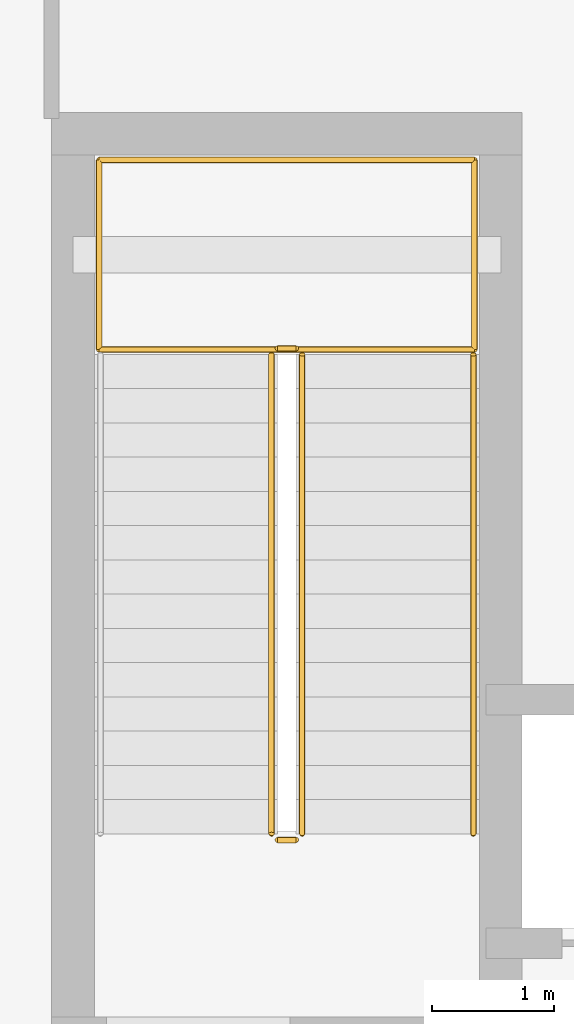
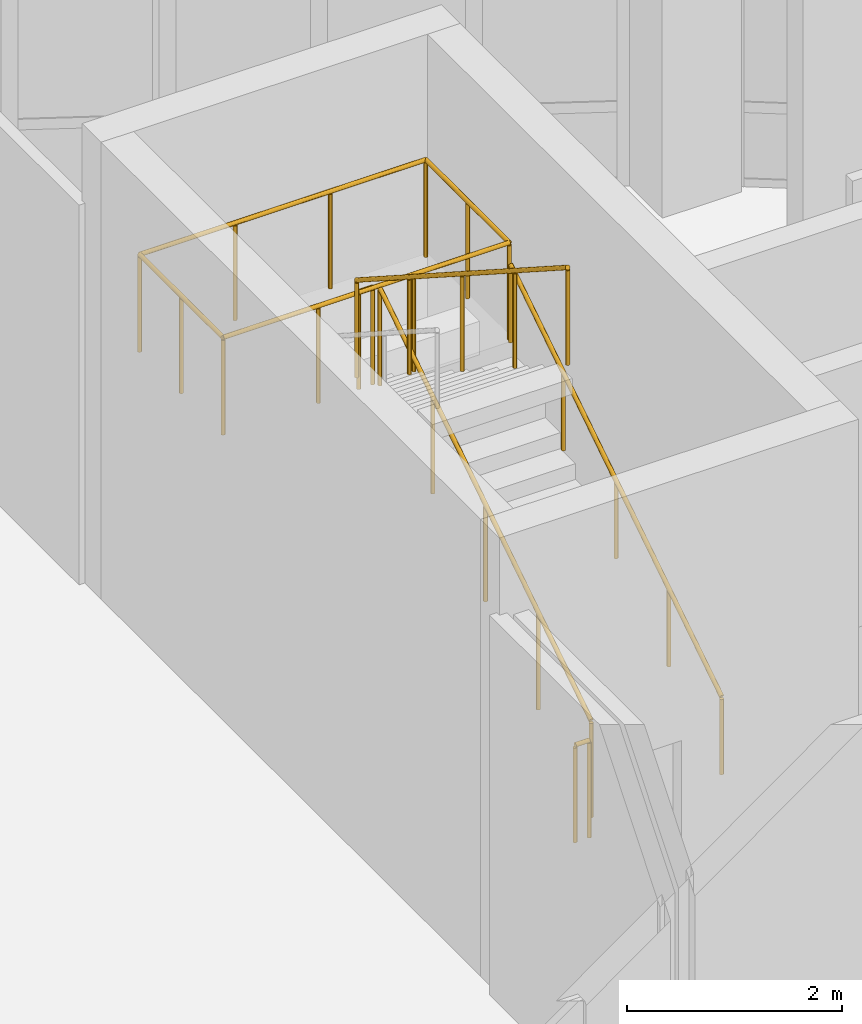
# One storey, part 64 of 70: 7 railings.
"""IFC4 building model written with IfcOpenShell, lengths in metres."""

from ifc_helpers import new_model, si_unit, direction, frame, origin, origin_2d, place, context, subcontext, project, spatial, circle, extrude, material, type_object, element, save


model = new_model("IFC4")

# Units and contexts
model_context = context("Model", 3, precision=1e-05, world=origin(), true_north=direction((0.0, 1.0)))
body_context = subcontext(model_context, "Body", "Model", "MODEL_VIEW")
ifc_project = project(units=[si_unit("LENGTHUNIT", "METRE"), si_unit("AREAUNIT", "SQUARE_METRE"), si_unit("VOLUMEUNIT", "CUBIC_METRE"), si_unit("PLANEANGLEUNIT", "RADIAN"), si_unit("MASSUNIT", "GRAM", prefix="KILO")], contexts=[model_context])

# Site, building, storey
site_placement = place(None, origin())
site = spatial("IfcSite", under=ifc_project, at=site_placement, CompositionType="ELEMENT")
building_placement = place(site_placement, origin())
building = spatial("IfcBuilding", under=site, at=building_placement, Name="Miralva Faculty of Natural Sciences", CompositionType="ELEMENT")
storey_placement = place(building_placement, origin())
storey = spatial("IfcBuildingStorey", under=building, at=storey_placement, Name="L00", CompositionType="ELEMENT", Elevation=0.0)

# Railings
ifc_material = material(Name="Steel S355", Category="steel")
railing_type_1 = type_object("IfcRailingType", Name="RL-GR01", PredefinedType="GUARDRAIL", material=ifc_material)
railing_1_placement = place(storey_placement, frame((115.89990234375, 22.300048828125, 0.179931640625)))
element("IfcRailing", 1, at=railing_1_placement, inside=storey, type_object=railing_type_1, Name="Stair Core C3 safety guard L00-1", PredefinedType="GUARDRAIL", context=body_context, shape_type="SweptSolid", body=[
    extrude(circle(Radius=0.02392578125, at=origin_2d()), frame((0.0, 0.0, 1.09619140625), z_axis=(0.0, 0.841171666519, 0.540768182723), x_axis=(-1.0, 0.0, 0.0)), (0.0, 0.0, 1.0), 4.66015625),
    extrude(circle(Radius=0.02099609375, at=origin_2d()), origin(), (0.0, 0.0, 1.0), 1.072021484375),
    extrude(circle(Radius=0.02099609375, at=origin_2d()), frame((0.0, 0.97998046875, 0.6298828125)), (0.0, 0.0, 1.0), 1.072021484375),
    extrude(circle(Radius=0.02099609375, at=origin_2d()), frame((0.0, 1.9599609375, 1.260009765625)), (0.0, 0.0, 1.0), 1.072021484375),
    extrude(circle(Radius=0.02099609375, at=origin_2d()), frame((0.0, 2.93994140625, 1.89013671875)), (0.0, 0.0, 1.0), 1.072021484375),
    extrude(circle(Radius=0.02099609375, at=origin_2d()), frame((0.0, 3.919921875, 2.52001953125)), (0.0, 0.0, 1.0), 1.072021484375),
])
railing_2_placement = place(storey_placement, frame((115.85009765625, 26.27001953125, 2.699951171875)))
element("IfcRailing", 2, at=railing_2_placement, inside=storey, type_object=railing_type_1, Name="Stair Core C3 safety guard L00-2", PredefinedType="GUARDRAIL", context=body_context, shape_type="SweptSolid", body=[
    extrude(circle(Radius=0.02392578125, at=origin_2d()), frame((0.0, 0.0, 1.09619140625), z_axis=(-1.0, 0.0, 0.0), x_axis=(0.0, -1.0, 0.0)), (0.0, 0.0, 1.0), 0.150146484375),
    extrude(circle(Radius=0.02099609375, at=origin_2d()), origin(), (0.0, 0.0, 1.0), 1.072021484375),
    extrude(circle(Radius=0.02099609375, at=origin_2d()), frame((-0.150146484375, 0.0, 0.0)), (0.0, 0.0, 1.0), 1.072021484375),
])
railing_3_placement = place(storey_placement, frame((115.64990234375, 26.219970703125, 2.8798828125)))
element("IfcRailing", 3, at=railing_3_placement, inside=storey, type_object=railing_type_1, Name="Stair Core C3 safety guard L00-3", PredefinedType="GUARDRAIL", context=body_context, shape_type="SweptSolid", body=[
    extrude(circle(Radius=0.02392578125, at=origin_2d()), frame((0.0, 0.0, 1.09619140625), z_axis=(0.0, -0.841171666519, 0.540768182723), x_axis=(1.0, 0.0, 0.0)), (0.0, 0.0, 1.0), 4.66015625),
    extrude(circle(Radius=0.02099609375, at=origin_2d()), origin(), (0.0, 0.0, 1.0), 1.072021484375),
    extrude(circle(Radius=0.02099609375, at=origin_2d()), frame((0.0, -0.97998046875, 0.6298828125)), (0.0, 0.0, 1.0), 1.072021484375),
    extrude(circle(Radius=0.02099609375, at=origin_2d()), frame((0.0, -1.9599609375, 1.260009765625)), (0.0, 0.0, 1.0), 1.072021484375),
    extrude(circle(Radius=0.02099609375, at=origin_2d()), frame((0.0, -2.93994140625, 1.89013671875)), (0.0, 0.0, 1.0), 1.072021484375),
    extrude(circle(Radius=0.02099609375, at=origin_2d()), frame((0.0, -3.919921875, 2.52001953125)), (0.0, 0.0, 1.0), 1.072021484375),
])
railing_4_placement = place(storey_placement, frame((115.85009765625, 22.25, 0.0)))
element("IfcRailing", 4, at=railing_4_placement, inside=storey, type_object=railing_type_1, Name="Stair Core C3 safety guard L00-4", PredefinedType="GUARDRAIL", context=body_context, shape_type="SweptSolid", body=[
    extrude(circle(Radius=0.02392578125, at=origin_2d()), frame((0.0, 0.0, 1.09619140625), z_axis=(-1.0, 0.0, 0.0), x_axis=(0.0, -1.0, 0.0)), (0.0, 0.0, 1.0), 0.150146484375),
    extrude(circle(Radius=0.02099609375, at=origin_2d()), origin(), (0.0, 0.0, 1.0), 1.072021484375),
    extrude(circle(Radius=0.02099609375, at=origin_2d()), frame((-0.150146484375, 0.0, 0.0)), (0.0, 0.0, 1.0), 1.072021484375),
])
railing_5_placement = place(storey_placement, frame((114.239990234375, 26.260009765625, 2.699951171875)))
element("IfcRailing", 5, at=railing_5_placement, inside=storey, type_object=railing_type_1, Name="Stair Core C3 half-landing guard L00-1A", PredefinedType="GUARDRAIL", context=body_context, shape_type="SweptSolid", body=[
    extrude(circle(Radius=0.02392578125, at=origin_2d()), frame((0.0, 0.0, 1.09619140625), z_axis=(0.0, 1.0, 0.0), x_axis=(-1.0, 0.0, 0.0)), (0.0, 0.0, 1.0), 1.550048828125),
    extrude(circle(Radius=0.02392578125, at=origin_2d()), frame((0.0, 1.550048828125, 1.09619140625), z_axis=(1.0, 0.0, 0.0), x_axis=(0.0, 1.0, 0.0)), (0.0, 0.0, 1.0), 3.070068359375),
    extrude(circle(Radius=0.02099609375, at=origin_2d()), origin(), (0.0, 0.0, 1.0), 1.072021484375),
    extrude(circle(Radius=0.02099609375, at=origin_2d()), frame((0.0, 0.77490234375, 0.0)), (0.0, 0.0, 1.0), 1.072021484375),
    extrude(circle(Radius=0.02099609375, at=origin_2d()), frame((0.0, 1.550048828125, 0.0)), (0.0, 0.0, 1.0), 1.072021484375),
    extrude(circle(Radius=0.02099609375, at=origin_2d()), frame((1.0234375, 1.550048828125, 0.0)), (0.0, 0.0, 1.0), 1.072021484375),
    extrude(circle(Radius=0.02099609375, at=origin_2d()), frame((2.046630859375, 1.550048828125, 0.0)), (0.0, 0.0, 1.0), 1.072021484375),
    extrude(circle(Radius=0.02099609375, at=origin_2d()), frame((3.070068359375, 1.550048828125, 0.0)), (0.0, 0.0, 1.0), 1.072021484375),
])
railing_6_placement = place(storey_placement, frame((117.31005859375, 27.81005859375, 2.699951171875)))
element("IfcRailing", 6, at=railing_6_placement, inside=storey, type_object=railing_type_1, Name="Stair Core C3 half-landing guard L00-1B", PredefinedType="GUARDRAIL", context=body_context, shape_type="SweptSolid", body=[
    extrude(circle(Radius=0.02392578125, at=origin_2d()), frame((0.0, 0.0, 1.09619140625), z_axis=(0.0, -1.0, 0.0), x_axis=(1.0, 0.0, 0.0)), (0.0, 0.0, 1.0), 1.550048828125),
    extrude(circle(Radius=0.02392578125, at=origin_2d()), frame((0.0, -1.550048828125, 1.09619140625), z_axis=(-1.0, 0.0, 0.0), x_axis=(0.0, -1.0, 0.0)), (0.0, 0.0, 1.0), 3.070068359375),
    extrude(circle(Radius=0.02099609375, at=origin_2d()), origin(), (0.0, 0.0, 1.0), 1.072021484375),
    extrude(circle(Radius=0.02099609375, at=origin_2d()), frame((0.0, -0.77490234375, 0.0)), (0.0, 0.0, 1.0), 1.072021484375),
    extrude(circle(Radius=0.02099609375, at=origin_2d()), frame((0.0, -1.550048828125, 0.0)), (0.0, 0.0, 1.0), 1.072021484375),
    extrude(circle(Radius=0.02099609375, at=origin_2d()), frame((-1.0234375, -1.550048828125, 0.0)), (0.0, 0.0, 1.0), 1.072021484375),
    extrude(circle(Radius=0.02099609375, at=origin_2d()), frame((-2.046630859375, -1.550048828125, 0.0)), (0.0, 0.0, 1.0), 1.072021484375),
    extrude(circle(Radius=0.02099609375, at=origin_2d()), frame((-3.070068359375, -1.550048828125, 0.0)), (0.0, 0.0, 1.0), 1.072021484375),
])
railing_type_2 = type_object("IfcRailingType", Name="RL-HR01", PredefinedType="HANDRAIL", material=ifc_material)
railing_7_placement = place(storey_placement, frame((117.300048828125, 22.300048828125, 0.179931640625)))
element("IfcRailing", 7, at=railing_7_placement, inside=storey, type_object=railing_type_2, Name="Stair Core C3 handrail L00-1", PredefinedType="HANDRAIL", context=body_context, shape_type="SweptSolid", body=[
    extrude(circle(Radius=0.02392578125, at=origin_2d()), frame((0.0, 0.0, 0.8759765625), z_axis=(0.0, 0.841171666519, 0.540768182723), x_axis=(-1.0, 0.0, 0.0)), (0.0, 0.0, 1.0), 4.66015625),
    extrude(circle(Radius=0.02099609375, at=origin_2d()), origin(), (0.0, 0.0, 1.0), 0.851806640625),
    extrude(circle(Radius=0.02099609375, at=origin_2d()), frame((0.0, 0.97998046875, 0.6298828125)), (0.0, 0.0, 1.0), 0.851806640625),
    extrude(circle(Radius=0.02099609375, at=origin_2d()), frame((0.0, 1.9599609375, 1.260009765625)), (0.0, 0.0, 1.0), 0.851806640625),
    extrude(circle(Radius=0.02099609375, at=origin_2d()), frame((0.0, 2.93994140625, 1.89013671875)), (0.0, 0.0, 1.0), 0.851806640625),
    extrude(circle(Radius=0.02099609375, at=origin_2d()), frame((0.0, 3.919921875, 2.52001953125)), (0.0, 0.0, 1.0), 0.851806640625),
])

save(model, "model.ifc")
